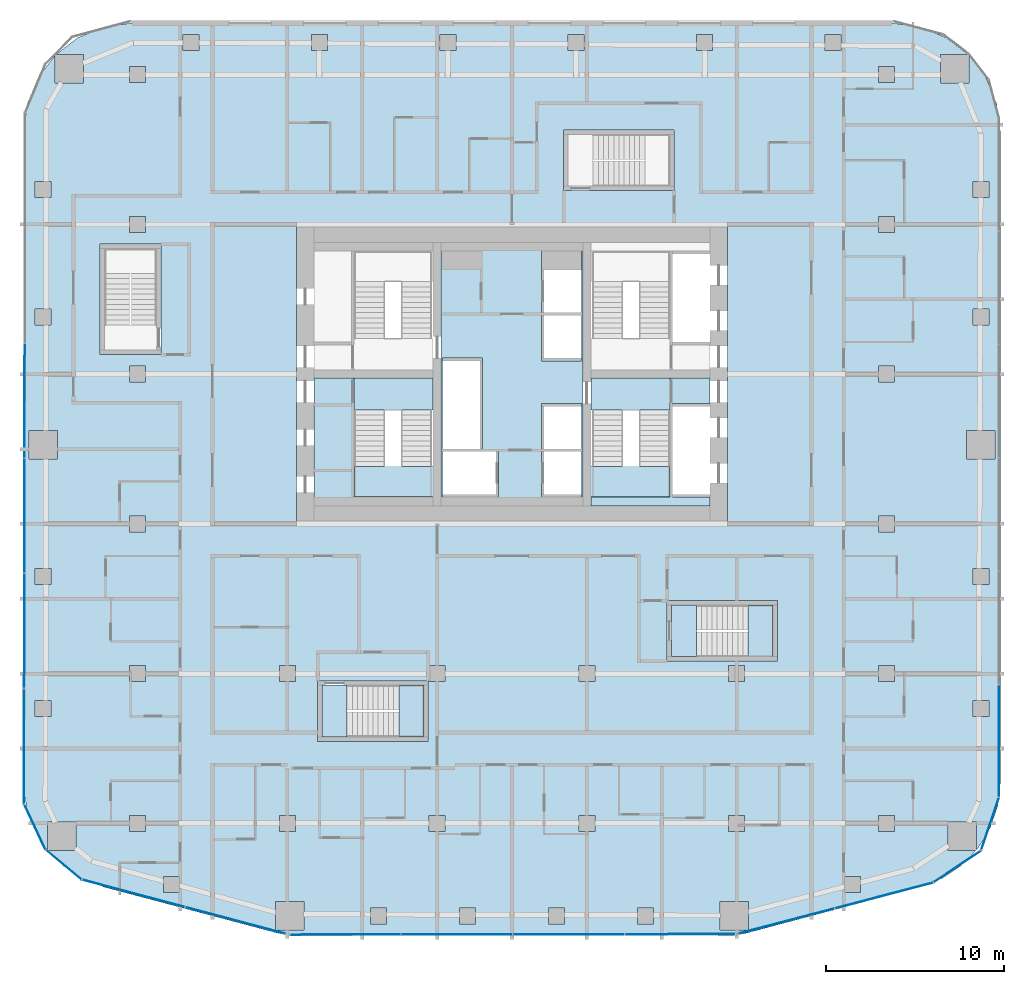
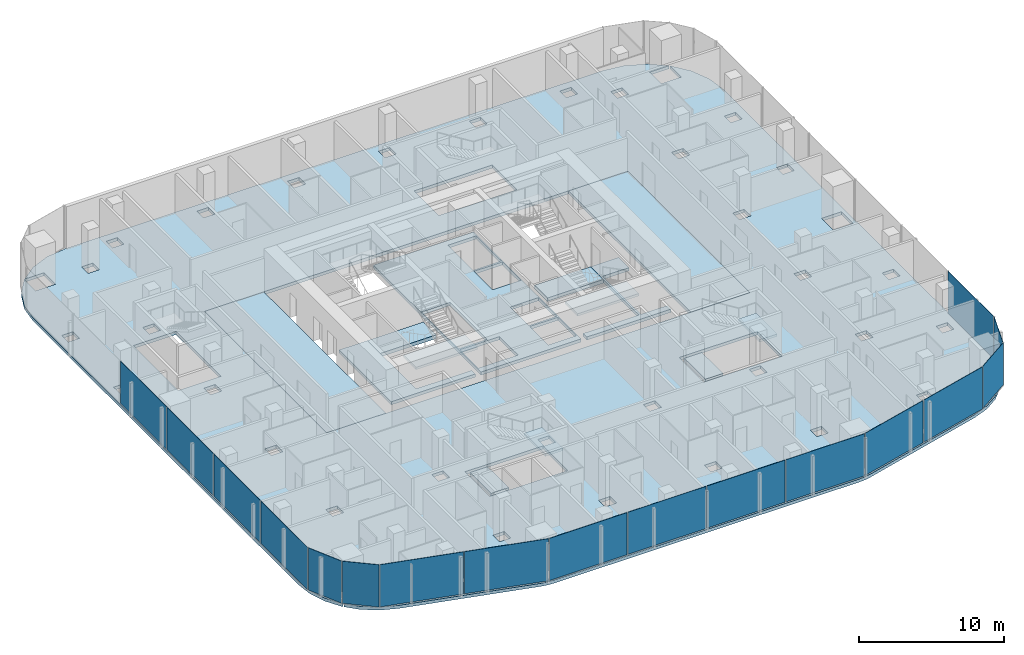
# One storey, part 12 of 23: 17 plates, 14 slabs, 13 elements without a shape of their own.
"""IFC4 building model written with IfcOpenShell, lengths in metres."""

import ifcopenshell
import ifcopenshell.guid

model = None  # the IFC model being written
_history = None  # IfcOwnerHistory: only IFC2X3 demands one
_inside = {}  # id of a spatial element -> (the spatial element, [elements in it])
_under = {}  # id of a project, library or spatial element -> (it, [spatial elements below it])
_declared = {}  # id of a project -> (the project, [libraries it declares])
_typed = {}  # id of a type object -> (the type object, [elements of that type])
_made_of = {}  # id of a material, layer set ... -> (it, [elements and type objects made of it])


def new_model(schema):
    """Start an empty IFC model of exactly this schema.

    Asked for "IFC4X3", IfcOpenShell would pick the latest addendum, in which some entities
    have other attributes; the version numbers below select the first issue.
    IFC2X3 requires an IfcOwnerHistory on every rooted entity: one is made here for all.
    """
    global model, _history
    if schema == "IFC4X3":
        model = ifcopenshell.file(schema_version=(4, 3, 0, 0))
    else:
        model = ifcopenshell.file(schema=schema)
    _inside.clear()
    _under.clear()
    _declared.clear()
    _typed.clear()
    _made_of.clear()
    _history = None
    if model.schema == "IFC2X3":
        org = make("IfcOrganization", Name="unknown")
        user = make(
            "IfcPersonAndOrganization",
            ThePerson=make("IfcPerson", FamilyName="unknown"),
            TheOrganization=org,
        )
        app = make(
            "IfcApplication",
            ApplicationDeveloper=org,
            Version="unknown",
            ApplicationFullName="unknown",
            ApplicationIdentifier="unknown",
        )
        _history = make(
            "IfcOwnerHistory",
            OwningUser=user,
            OwningApplication=app,
            ChangeAction="ADDED",
            CreationDate=0,
        )
    return model


def make(cls, **values):
    """One entity of the class cls with the attributes given. An attribute that is None is left unset."""
    return model.create_entity(
        cls, **{name: value for name, value in values.items() if value is not None}
    )


def rooted(cls, **values):
    """An entity with a GlobalId (a new one), such as an element, a storey or a relation."""
    return make(cls, GlobalId=ifcopenshell.guid.new(), OwnerHistory=_history, **values)


def si_unit(unit_type, name, prefix=None):
    """IfcSIUnit, for example si_unit("LENGTHUNIT", "METRE", prefix="MILLI")."""
    return make("IfcSIUnit", UnitType=unit_type, Prefix=prefix, Name=name)


def assignment(units):
    """IfcUnitAssignment: the units of a project."""
    return None if units is None else make("IfcUnitAssignment", Units=units)


def point(xyz):
    """IfcCartesianPoint."""
    return None if xyz is None else make("IfcCartesianPoint", Coordinates=xyz)


def direction(xyz):
    """IfcDirection."""
    return None if xyz is None else make("IfcDirection", DirectionRatios=xyz)


def frame(location, z_axis=None, x_axis=None):
    """IfcAxis2Placement3D, a coordinate frame: its origin and axes. An axis left out is left unset."""
    return make(
        "IfcAxis2Placement3D",
        Location=point(location),
        Axis=direction(z_axis),
        RefDirection=direction(x_axis),
    )


def frame_2d(location, x_axis=None):
    """IfcAxis2Placement2D, a coordinate frame in the plane: its origin and x axis."""
    return make(
        "IfcAxis2Placement2D", Location=point(location), RefDirection=direction(x_axis)
    )


def origin():
    """The frame at (0, 0, 0) with its axes left unset."""
    return frame((0.0, 0.0, 0.0))


def origin_2d():
    """The frame at (0, 0) in the plane with its x axis left unset."""
    return frame_2d((0.0, 0.0))


def place(relative_to, where):
    """IfcLocalPlacement: puts the frame where relative to a parent placement (None: the world)."""
    return make(
        "IfcLocalPlacement", PlacementRelTo=relative_to, RelativePlacement=where
    )


def context(
    kind, dimensions, precision=None, world=None, true_north=None, identifier=None
):
    """IfcGeometricRepresentationContext, for example the 3D "Model" context."""
    return make(
        "IfcGeometricRepresentationContext",
        ContextIdentifier=identifier,
        ContextType=kind,
        CoordinateSpaceDimension=dimensions,
        Precision=precision,
        WorldCoordinateSystem=world,
        TrueNorth=true_north,
    )


def subcontext(parent, identifier, kind, view, scale=None):
    """IfcGeometricRepresentationSubContext, for example "Body" below "Model"."""
    return make(
        "IfcGeometricRepresentationSubContext",
        ContextIdentifier=identifier,
        ContextType=kind,
        ParentContext=parent,
        TargetScale=scale,
        TargetView=view,
    )


def project(units=None, contexts=None):
    """IfcProject with its units and contexts."""
    return rooted(
        "IfcProject",
        Name="project",
        RepresentationContexts=contexts,
        UnitsInContext=assignment(units),
    )


def spatial(cls, under=None, at=None, **own):
    """A site, building, storey or space (cls), placed at a placement, below another one or the project."""
    s = rooted(cls, ObjectPlacement=at, **own)
    if under is not None:
        _under.setdefault(under.id(), (under, []))[1].append(s)
    return s


def polyline(points):
    """IfcPolyline through the points."""
    return make("IfcPolyline", Points=[point(p) for p in points])


def profile(cls, at=None, kind="AREA", **sizes):
    """A parametric profile (cls). Its sizes go by their IFC names, for example OverallWidth=200.0."""
    return make(cls, ProfileType=kind, Position=at, **sizes)


def rectangle(**sizes):
    """IfcRectangleProfileDef."""
    return profile("IfcRectangleProfileDef", **sizes)


def outline(outer, holes=None, kind="AREA"):
    """IfcArbitraryClosedProfileDef: a profile drawn as a closed curve; with holes, ...WithVoids."""
    if holes is None:
        return make("IfcArbitraryClosedProfileDef", ProfileType=kind, OuterCurve=outer)
    return make(
        "IfcArbitraryProfileDefWithVoids",
        ProfileType=kind,
        OuterCurve=outer,
        InnerCurves=holes,
    )


def extrude(swept, where, along, depth):
    """IfcExtrudedAreaSolid: the profile swept, set in the frame where, extruded along a direction by depth."""
    return make(
        "IfcExtrudedAreaSolid",
        SweptArea=swept,
        Position=where,
        ExtrudedDirection=direction(along),
        Depth=depth,
    )


def shape(context_of_items, identifier, shape_type, items):
    """IfcShapeRepresentation: the items that make up one representation, for example the "Body"."""
    return make(
        "IfcShapeRepresentation",
        ContextOfItems=context_of_items,
        RepresentationIdentifier=identifier,
        RepresentationType=shape_type,
        Items=items,
    )


def material(Name=None, Category=None):
    """IfcMaterial."""
    return make("IfcMaterial", Name=Name, Category=Category)


def layer(
    of_material, thickness, ventilated=None, Name=None, Category=None, Priority=None
):
    """IfcMaterialLayer: one layer of a wall or slab, of a material (None: an air gap)."""
    return make(
        "IfcMaterialLayer",
        Material=of_material,
        LayerThickness=thickness,
        IsVentilated=ventilated,
        Name=Name,
        Category=Category,
        Priority=Priority,
    )


def layer_set(layers, Name=None):
    """IfcMaterialLayerSet."""
    return make("IfcMaterialLayerSet", MaterialLayers=layers, LayerSetName=Name)


def made_of(thing, what):
    """Note that an element or type object is made of a material, layer set ...; save() writes the relation."""
    if what is not None:
        _made_of.setdefault(what.id(), (what, []))[1].append(thing)
    return thing


def type_object(cls, material=None, **own):
    """A type object (cls), such as IfcWallType, which elements share."""
    return made_of(rooted(cls, **own), material)


def element(
    cls,
    number,
    at=None,
    inside=None,
    cuts=None,
    type_object=None,
    material=None,
    context=None,
    identifier="Body",
    shape_type=None,
    held_by="IfcProductDefinitionShape",
    body=None,
    shapes=None,
    **own,
):
    """One element of the class cls, such as IfcWall. Its Tag is "e" and its number.

    at: its placement. inside: the storey or other place that contains it. cuts: it is an
    opening in that element (IfcRelVoidsElement). A single representation is given by context,
    identifier, shape_type and body (its items); several are given by shapes. held_by: the class
    of the entity that holds the representations. save() writes the other relations.
    """
    e = rooted(cls, Tag="e%d" % number, ObjectPlacement=at, **own)
    if body is not None:
        shapes = [shape(context, identifier, shape_type, body)]
    if shapes is not None:
        e.Representation = make(held_by, Representations=shapes)
    if inside is not None:
        _inside.setdefault(inside.id(), (inside, []))[1].append(e)
    if cuts is not None:
        rooted(
            "IfcRelVoidsElement", RelatingBuildingElement=cuts, RelatedOpeningElement=e
        )
    if type_object is not None:
        _typed.setdefault(type_object.id(), (type_object, []))[1].append(e)
    return made_of(e, material)


def aggregate(whole, parts):
    """IfcRelAggregates: a whole, such as a stair, and the parts it consists of."""
    return rooted("IfcRelAggregates", RelatingObject=whole, RelatedObjects=parts)


def save(model, path):
    """Write the relations noted so far, then the file.

    IfcRelAggregates (storeys below a building ...), IfcRelContainedInSpatialStructure (elements
    in a storey), IfcRelDefinesByType, IfcRelAssociatesMaterial and IfcRelDeclares: one each for
    every whole, place, type object, material and project.
    """
    for whole, parts in _under.values():
        aggregate(whole, parts)
    for where, things in _inside.values():
        rooted(
            "IfcRelContainedInSpatialStructure",
            RelatedElements=things,
            RelatingStructure=where,
        )
    for kind, things in _typed.values():
        rooted("IfcRelDefinesByType", RelatedObjects=things, RelatingType=kind)
    for what, things in _made_of.values():
        rooted("IfcRelAssociatesMaterial", RelatedObjects=things, RelatingMaterial=what)
    for by, libraries in _declared.values():
        rooted("IfcRelDeclares", RelatingContext=by, RelatedDefinitions=libraries)
    model.write(path)


model = new_model("IFC4")

# Units and contexts
model_context = context("Model", 3, precision=1e-05, world=origin(), true_north=direction((0.0, 1.0)))
body_context = subcontext(model_context, "Body", "Model", "MODEL_VIEW")
ifc_project = project(units=[si_unit("LENGTHUNIT", "METRE"), si_unit("AREAUNIT", "SQUARE_METRE"), si_unit("VOLUMEUNIT", "CUBIC_METRE"), si_unit("PLANEANGLEUNIT", "RADIAN"), si_unit("MASSUNIT", "GRAM", prefix="KILO")], contexts=[model_context])

# Site, building, storey
site_placement = place(None, origin())
site = spatial("IfcSite", under=ifc_project, at=site_placement, CompositionType="ELEMENT")
building_placement = place(site_placement, origin())
building = spatial("IfcBuilding", under=site, at=building_placement, Name="Marenta Gate Hotel Tower", CompositionType="ELEMENT")
storey_placement = place(building_placement, frame((0.0, 0.0, 112.10009765625)))
storey = spatial("IfcBuildingStorey", under=building, at=storey_placement, Name="L24", CompositionType="ELEMENT", Elevation=112.10009765625)

# Slabs
ifc_material_1 = material(Name="Concrete C35", Category="concrete")
ifc_layer_1 = layer(ifc_material_1, 0.260009765625)
ifc_layer_set_1 = layer_set([ifc_layer_1], Name="Concrete C35")
slab_type_1 = type_object("IfcSlabType", Name="Concrete floor slab 260", PredefinedType="FLOOR", material=ifc_layer_set_1)
slab_1_placement = place(storey_placement, frame((0.0, 0.0, -0.260009765625)))
element("IfcSlab", 1, at=slab_1_placement, inside=storey, type_object=slab_type_1, Name="L24-SL-1", PredefinedType="FLOOR", context=body_context, shape_type="SweptSolid", body=[
    extrude(outline(polyline([(-25.213623046875, -19.1640625), (-26.011474609375, -18.3330078125), (-24.462890625, -18.3330078125), (-24.462890625, -16.73291015625), (-26.06298828125, -16.73291015625), (-26.06298828125, -18.279296875), (-26.13525390625, -18.2041015625), (-26.826904296875, -17.06689453125), (-27.25537109375, -15.80712890625), (-27.39990234375, -14.48974609375), (-27.39990234375, 22.006591796875), (-27.193115234375, 23.5791015625), (-26.58349609375, 25.050537109375), (-25.635498046875, 26.285888671875), (-25.635498046875, 24.735595703125), (-24.035400390625, 24.735595703125), (-24.035400390625, 26.33544921875), (-25.585693359375, 26.33544921875), (-24.350341796875, 27.283447265625), (-22.87890625, 27.89306640625), (-21.306640625, 28.10009765625), (21.306640625, 28.10009765625), (22.87890625, 27.89306640625), (24.350341796875, 27.283447265625), (25.585693359375, 26.33544921875), (24.035400390625, 26.33544921875), (24.035400390625, 24.735595703125), (25.635498046875, 24.735595703125), (25.635498046875, 26.285888671875), (26.58349609375, 25.050537109375), (27.193115234375, 23.5791015625), (27.39990234375, 22.006591796875), (27.39990234375, -14.48974609375), (27.25537109375, -15.80712890625), (26.826904296875, -17.06689453125), (26.13525390625, -18.2041015625), (26.06298828125, -18.279296875), (26.06298828125, -16.73291015625), (24.462890625, -16.73291015625), (24.462890625, -18.3330078125), (26.011474609375, -18.3330078125), (25.213623046875, -19.1640625), (24.105712890625, -19.9013671875), (22.86962890625, -20.37890625), (13.126708984375, -22.963623046875), (12.608642578125, -23.065673828125), (12.08154296875, -23.10009765625), (-12.08154296875, -23.10009765625), (-12.608642578125, -23.065673828125), (-13.126708984375, -22.963623046875), (-22.86962890625, -20.37890625), (-24.105712890625, -19.9013671875), (-25.213623046875, -19.1640625)]), holes=[polyline([(-16.800048828125, 0.0), (16.800048828125, 0.0), (16.800048828125, 16.800048828125), (-16.800048828125, 16.800048828125), (-16.800048828125, 0.0)]), polyline([(-18.65673828125, -19.7890625), (-19.556884765625, -19.7890625), (-19.556884765625, -20.689208984375), (-18.65673828125, -20.689208984375), (-18.65673828125, -19.7890625)]), polyline([(-20.550048828125, -17.25), (-20.550048828125, -16.35009765625), (-21.449951171875, -16.35009765625), (-21.449951171875, -17.25), (-20.550048828125, -17.25)]), polyline([(-12.14990234375, -16.35009765625), (-13.050048828125, -16.35009765625), (-13.050048828125, -17.25), (-12.14990234375, -17.25), (-12.14990234375, -16.35009765625)]), polyline([(-25.85009765625, -10.802001953125), (-25.85009765625, -9.90185546875), (-26.75, -9.90185546875), (-26.75, -10.802001953125), (-25.85009765625, -10.802001953125)]), polyline([(-20.550048828125, -8.85009765625), (-20.550048828125, -7.949951171875), (-21.449951171875, -7.949951171875), (-21.449951171875, -8.85009765625), (-20.550048828125, -8.85009765625)]), polyline([(-25.85009765625, -2.5009765625), (-26.75, -2.5009765625), (-26.75, -3.40087890625), (-25.85009765625, -3.40087890625), (-25.85009765625, -2.5009765625)]), polyline([(-20.550048828125, -0.449951171875), (-20.550048828125, 0.449951171875), (-21.449951171875, 0.449951171875), (-21.449951171875, -0.449951171875), (-20.550048828125, -0.449951171875)]), polyline([(-25.5, 3.64990234375), (-25.5, 5.25), (-27.10009765625, 5.25), (-27.10009765625, 3.64990234375), (-25.5, 3.64990234375)]), polyline([(-20.550048828125, 8.85009765625), (-21.449951171875, 8.85009765625), (-21.449951171875, 7.949951171875), (-20.550048828125, 7.949951171875), (-20.550048828125, 8.85009765625)]), polyline([(-25.85009765625, 11.1533203125), (-25.85009765625, 12.05322265625), (-26.75, 12.05322265625), (-26.75, 11.1533203125), (-25.85009765625, 11.1533203125)]), polyline([(-20.550048828125, 16.35009765625), (-20.550048828125, 17.25), (-21.449951171875, 17.25), (-21.449951171875, 16.35009765625), (-20.550048828125, 16.35009765625)]), polyline([(-25.85009765625, 19.206298828125), (-26.75, 19.206298828125), (-26.75, 18.306396484375), (-25.85009765625, 18.306396484375), (-25.85009765625, 19.206298828125)]), polyline([(-20.550048828125, 24.75), (-20.550048828125, 25.64990234375), (-21.449951171875, 25.64990234375), (-21.449951171875, 24.75), (-20.550048828125, 24.75)]), polyline([(-17.556884765625, 27.449951171875), (-18.456787109375, 27.449951171875), (-18.456787109375, 26.550048828125), (-17.556884765625, 26.550048828125), (-17.556884765625, 27.449951171875)]), polyline([(-7.030029296875, -22.449951171875), (-7.030029296875, -21.550048828125), (-7.93017578125, -21.550048828125), (-7.93017578125, -22.449951171875), (-7.030029296875, -22.449951171875)]), polyline([(-2.04345703125, -22.449951171875), (-2.04345703125, -21.550048828125), (-2.943359375, -21.550048828125), (-2.943359375, -22.449951171875), (-2.04345703125, -22.449951171875)]), polyline([(2.943359375, -21.550048828125), (2.04345703125, -21.550048828125), (2.04345703125, -22.449951171875), (2.943359375, -22.449951171875), (2.943359375, -21.550048828125)]), polyline([(7.93017578125, -22.449951171875), (7.93017578125, -21.550048828125), (7.030029296875, -21.550048828125), (7.030029296875, -22.449951171875), (7.93017578125, -22.449951171875)]), polyline([(-11.666259765625, -22.77490234375), (-11.666259765625, -21.1748046875), (-13.266357421875, -21.1748046875), (-13.266357421875, -22.77490234375), (-11.666259765625, -22.77490234375)]), polyline([(13.266357421875, -21.1748046875), (11.666259765625, -21.1748046875), (11.666259765625, -22.77490234375), (13.266357421875, -22.77490234375), (13.266357421875, -21.1748046875)]), polyline([(-3.75, -17.25), (-3.75, -16.35009765625), (-4.64990234375, -16.35009765625), (-4.64990234375, -17.25), (-3.75, -17.25)]), polyline([(4.64990234375, -17.25), (4.64990234375, -16.35009765625), (3.75, -16.35009765625), (3.75, -17.25), (4.64990234375, -17.25)]), polyline([(13.050048828125, -16.35009765625), (12.14990234375, -16.35009765625), (12.14990234375, -17.25), (13.050048828125, -17.25), (13.050048828125, -16.35009765625)]), polyline([(-12.14990234375, -8.85009765625), (-12.14990234375, -7.949951171875), (-13.050048828125, -7.949951171875), (-13.050048828125, -8.85009765625), (-12.14990234375, -8.85009765625)]), polyline([(-3.75, -8.85009765625), (-3.75, -7.949951171875), (-4.64990234375, -7.949951171875), (-4.64990234375, -8.85009765625), (-3.75, -8.85009765625)]), polyline([(4.64990234375, -7.949951171875), (3.75, -7.949951171875), (3.75, -8.85009765625), (4.64990234375, -8.85009765625), (4.64990234375, -7.949951171875)]), polyline([(-10.35400390625, 26.550048828125), (-10.35400390625, 27.449951171875), (-11.254150390625, 27.449951171875), (-11.254150390625, 26.550048828125), (-10.35400390625, 26.550048828125)]), polyline([(-3.1513671875, 26.550048828125), (-3.1513671875, 27.449951171875), (-4.051513671875, 27.449951171875), (-4.051513671875, 26.550048828125), (-3.1513671875, 26.550048828125)]), polyline([(4.051513671875, 27.449951171875), (3.1513671875, 27.449951171875), (3.1513671875, 26.550048828125), (4.051513671875, 26.550048828125), (4.051513671875, 27.449951171875)]), polyline([(11.254150390625, 26.550048828125), (11.254150390625, 27.449951171875), (10.35400390625, 27.449951171875), (10.35400390625, 26.550048828125), (11.254150390625, 26.550048828125)]), polyline([(19.556884765625, -20.689208984375), (19.556884765625, -19.7890625), (18.65673828125, -19.7890625), (18.65673828125, -20.689208984375), (19.556884765625, -20.689208984375)]), polyline([(21.449951171875, -17.25), (21.449951171875, -16.35009765625), (20.550048828125, -16.35009765625), (20.550048828125, -17.25), (21.449951171875, -17.25)]), polyline([(26.75, -10.802001953125), (26.75, -9.90185546875), (25.85009765625, -9.90185546875), (25.85009765625, -10.802001953125), (26.75, -10.802001953125)]), polyline([(13.050048828125, -7.949951171875), (12.14990234375, -7.949951171875), (12.14990234375, -8.85009765625), (13.050048828125, -8.85009765625), (13.050048828125, -7.949951171875)]), polyline([(21.449951171875, -8.85009765625), (21.449951171875, -7.949951171875), (20.550048828125, -7.949951171875), (20.550048828125, -8.85009765625), (21.449951171875, -8.85009765625)]), polyline([(26.75, -3.40087890625), (26.75, -2.5009765625), (25.85009765625, -2.5009765625), (25.85009765625, -3.40087890625), (26.75, -3.40087890625)]), polyline([(21.449951171875, 0.449951171875), (20.550048828125, 0.449951171875), (20.550048828125, -0.449951171875), (21.449951171875, -0.449951171875), (21.449951171875, 0.449951171875)]), polyline([(27.10009765625, 3.64990234375), (27.10009765625, 5.25), (25.5, 5.25), (25.5, 3.64990234375), (27.10009765625, 3.64990234375)]), polyline([(21.449951171875, 7.949951171875), (21.449951171875, 8.85009765625), (20.550048828125, 8.85009765625), (20.550048828125, 7.949951171875), (21.449951171875, 7.949951171875)]), polyline([(26.75, 12.05322265625), (25.85009765625, 12.05322265625), (25.85009765625, 11.1533203125), (26.75, 11.1533203125), (26.75, 12.05322265625)]), polyline([(21.449951171875, 16.35009765625), (21.449951171875, 17.25), (20.550048828125, 17.25), (20.550048828125, 16.35009765625), (21.449951171875, 16.35009765625)]), polyline([(26.75, 18.306396484375), (26.75, 19.206298828125), (25.85009765625, 19.206298828125), (25.85009765625, 18.306396484375), (26.75, 18.306396484375)]), polyline([(21.449951171875, 25.64990234375), (20.550048828125, 25.64990234375), (20.550048828125, 24.75), (21.449951171875, 24.75), (21.449951171875, 25.64990234375)]), polyline([(18.456787109375, 26.550048828125), (18.456787109375, 27.449951171875), (17.556884765625, 27.449951171875), (17.556884765625, 26.550048828125), (18.456787109375, 26.550048828125)]), polyline([(-10.89990234375, -12.199951171875), (-4.699951171875, -12.199951171875), (-4.699951171875, -8.800048828125), (-10.89990234375, -8.800048828125), (-10.89990234375, -12.199951171875)]), polyline([(8.699951171875, -7.699951171875), (14.89990234375, -7.699951171875), (14.89990234375, -4.300048828125), (8.699951171875, -4.300048828125), (8.699951171875, -7.699951171875)]), polyline([(-23.10009765625, 9.5), (-19.699951171875, 9.5), (-19.699951171875, 15.699951171875), (-23.10009765625, 15.699951171875), (-23.10009765625, 9.5)]), polyline([(2.89990234375, 18.699951171875), (9.10009765625, 18.699951171875), (9.10009765625, 22.10009765625), (2.89990234375, 22.10009765625), (2.89990234375, 18.699951171875)])]), origin(), (0.0, 0.0, 1.0), 0.260009765625),
])
ifc_material_2 = material(Name="Concrete C40", Category="concrete")
ifc_layer_2 = layer(ifc_material_2, 0.260009765625)
ifc_layer_set_2 = layer_set([ifc_layer_2], Name="Concrete C40")
slab_type_2 = type_object("IfcSlabType", Name="Core floor slab 260", PredefinedType="FLOOR", material=ifc_layer_set_2)
slab_2_placement = place(storey_placement, frame((0.0, 0.0, -0.260009765625)))
element("IfcSlab", 2, at=slab_2_placement, inside=storey, type_object=slab_type_2, Name="L24-CF-1", PredefinedType="FLOOR", context=body_context, shape_type="SweptSolid", body=[
    extrude(outline(polyline([(12.10009765625, 0.0), (12.10009765625, 16.800048828125), (16.800048828125, 16.800048828125), (16.800048828125, 0.0), (12.10009765625, 0.0)])), origin(), (0.0, 0.0, 1.0), 0.260009765625),
])
slab_3_placement = place(storey_placement, frame((0.0, 0.0, -0.260009765625)))
element("IfcSlab", 3, at=slab_3_placement, inside=storey, type_object=slab_type_2, Name="L24-CF-2", PredefinedType="FLOOR", context=body_context, shape_type="SweptSolid", body=[
    extrude(outline(polyline([(8.85009765625, 1.5), (8.85009765625, 6.39990234375), (8.85009765625, 8.10009765625), (8.85009765625, 8.175048828125), (11.10009765625, 8.175048828125), (11.10009765625, 6.75), (9.0, 6.75), (9.0, 6.60009765625), (9.0, 4.199951171875), (9.0, 4.050048828125), (9.0, 1.64990234375), (9.0, 1.5), (11.10009765625, 1.5), (11.10009765625, 1.0), (4.425048828125, 1.0), (4.425048828125, 1.5), (8.85009765625, 1.5)])), origin(), (0.0, 0.0, 1.0), 0.260009765625),
])
slab_4_placement = place(storey_placement, frame((0.0, 0.0, -0.260009765625)))
element("IfcSlab", 4, at=slab_4_placement, inside=storey, type_object=slab_type_2, Name="L24-CF-4", PredefinedType="FLOOR", context=body_context, shape_type="SweptSolid", body=[
    extrude(outline(polyline([(3.97509765625, 15.300048828125), (3.97509765625, 10.39990234375), (3.97509765625, 6.39990234375), (3.97509765625, 1.5), (3.97509765625, 1.0), (-3.97509765625, 1.0), (-3.97509765625, 1.5), (-3.97509765625, 6.39990234375), (-3.97509765625, 10.39990234375), (-3.97509765625, 15.300048828125), (-3.97509765625, 15.800048828125), (3.97509765625, 15.800048828125), (3.97509765625, 15.300048828125)]), holes=[polyline([(1.64990234375, 1.5), (3.89990234375, 1.5), (3.89990234375, 1.64990234375), (3.89990234375, 4.050048828125), (1.800048828125, 4.050048828125), (1.64990234375, 4.050048828125), (1.64990234375, 1.64990234375), (1.64990234375, 1.5)]), polyline([(1.64990234375, 6.60009765625), (1.64990234375, 4.199951171875), (1.800048828125, 4.199951171875), (3.89990234375, 4.199951171875), (3.89990234375, 6.60009765625), (3.89990234375, 6.75), (1.64990234375, 6.75), (1.64990234375, 6.60009765625)]), polyline([(1.64990234375, 9.14990234375), (3.89990234375, 9.14990234375), (3.89990234375, 9.300048828125), (3.89990234375, 11.699951171875), (1.800048828125, 11.699951171875), (1.64990234375, 11.699951171875), (1.64990234375, 9.300048828125), (1.64990234375, 9.14990234375)]), polyline([(1.64990234375, 15.300048828125), (1.64990234375, 14.25), (1.64990234375, 11.85009765625), (1.800048828125, 11.85009765625), (3.89990234375, 11.85009765625), (3.89990234375, 14.25), (3.89990234375, 15.300048828125), (1.64990234375, 15.300048828125)]), polyline([(-3.89990234375, 4.050048828125), (-3.89990234375, 1.64990234375), (-3.89990234375, 1.5), (-0.89990234375, 1.5), (-0.75, 1.5), (-0.75, 4.050048828125), (-0.89990234375, 4.050048828125), (-3.89990234375, 4.050048828125)]), polyline([(-1.800048828125, 4.199951171875), (-1.64990234375, 4.199951171875), (-1.64990234375, 9.14990234375), (-1.64990234375, 9.300048828125), (-3.89990234375, 9.300048828125), (-3.89990234375, 9.14990234375), (-3.89990234375, 6.75), (-3.89990234375, 6.60009765625), (-3.89990234375, 4.199951171875), (-1.800048828125, 4.199951171875)])]), origin(), (0.0, 0.0, 1.0), 0.260009765625),
])
slab_5_placement = place(storey_placement, frame((0.0, 0.0, -0.260009765625)))
element("IfcSlab", 5, at=slab_5_placement, inside=storey, type_object=slab_type_2, Name="L24-CF-5", PredefinedType="FLOOR", context=body_context, shape_type="SweptSolid", body=[
    extrude(outline(polyline([(-8.85009765625, 8.175048828125), (-8.85009765625, 8.10009765625), (-8.85009765625, 6.39990234375), (-8.85009765625, 1.5), (-4.425048828125, 1.5), (-4.425048828125, 1.0), (-11.10009765625, 1.0), (-11.10009765625, 8.175048828125), (-8.85009765625, 8.175048828125)])), origin(), (0.0, 0.0, 1.0), 0.260009765625),
])
slab_6_placement = place(storey_placement, frame((0.0, 0.0, -0.260009765625)))
element("IfcSlab", 6, at=slab_6_placement, inside=storey, type_object=slab_type_2, Name="L24-CF-7", PredefinedType="FLOOR", context=body_context, shape_type="SweptSolid", body=[
    extrude(outline(polyline([(-12.10009765625, 16.800048828125), (-12.10009765625, 0.0), (-16.800048828125, 0.0), (-16.800048828125, 16.800048828125), (-12.10009765625, 16.800048828125)])), origin(), (0.0, 0.0, 1.0), 0.260009765625),
])

# Stair, slab
ifc_material_3 = material(Name="Concrete C40", Category="concrete")
stair_type_1 = type_object("IfcStairType", Name="Core exit stair 1700 wide", PredefinedType="HALF_TURN_STAIR", material=ifc_material_3)
stair_1_placement = place(storey_placement, origin())
stair_1 = element("IfcStair", 7, at=stair_1_placement, inside=storey, type_object=stair_type_1, Name="Exit stair 1", PredefinedType="HALF_TURN_STAIR")
ifc_material_4 = material(Name="Concrete C40", Category="concrete")
ifc_layer_3 = layer(ifc_material_4, 0.199951171875)
ifc_layer_set_3 = layer_set([ifc_layer_3], Name="Concrete C40")
slab_type_3 = type_object("IfcSlabType", Name="Core stair landing 200", PredefinedType="LANDING", material=ifc_layer_set_3)
slab_7_placement = place(storey_placement, frame((0.0, 0.0, 1.599853515625)))
slab_7 = element("IfcSlab", 8, at=slab_7_placement, type_object=slab_type_3, Name="SL-200 ST1 landing 1", PredefinedType="LANDING", context=body_context, shape_type="SweptSolid", body=[
    extrude(outline(polyline([(-8.85009765625, 1.5), (-3.97509765625, 1.5), (-3.97509765625, 3.2099609375), (-8.85009765625, 3.2099609375), (-8.85009765625, 1.5)])), origin(), (0.0, 0.0, 1.0), 0.199951171875),
])
aggregate(stair_1, [slab_7])

stair_2_placement = place(storey_placement, origin())
stair_2 = element("IfcStair", 9, at=stair_2_placement, inside=storey, type_object=stair_type_1, Name="Exit stair 3", PredefinedType="HALF_TURN_STAIR")
slab_8_placement = place(storey_placement, frame((0.0, 0.0, 1.599853515625)))
slab_8 = element("IfcSlab", 10, at=slab_8_placement, type_object=slab_type_3, Name="SL-200 ST3 landing 1", PredefinedType="LANDING", context=body_context, shape_type="SweptSolid", body=[
    extrude(outline(polyline([(3.97509765625, 1.5), (8.85009765625, 1.5), (8.85009765625, 3.2099609375), (3.97509765625, 3.2099609375), (3.97509765625, 1.5)])), origin(), (0.0, 0.0, 1.0), 0.199951171875),
])
aggregate(stair_2, [slab_8])

# Curtain wall, plates
ifc_material_5 = material(Name="Tinted insulated glass in bronze anodised frame", Category="glass")
ifc_layer_4 = layer(ifc_material_5, 0.1201171875)
ifc_layer_set_4 = layer_set([ifc_layer_4], Name="Tinted insulated glass in bronze anodised frame")
curtain_wall_type = type_object("IfcCurtainWallType", Name="Tower unitised curtain wall CW1", PredefinedType="NOTDEFINED", material=ifc_layer_set_4)
curtain_wall_1_placement = place(storey_placement, origin())
curtain_wall_1 = element("IfcCurtainWall", 11, at=curtain_wall_1_placement, inside=storey, type_object=curtain_wall_type, Name="CW1 run G03", PredefinedType="NOTDEFINED")
ifc_material_6 = material(Name="Tinted insulated glass", Category="glass")
ifc_layer_5 = layer(ifc_material_6, 0.028076171875)
ifc_layer_set_5 = layer_set([ifc_layer_5], Name="Tinted insulated glass")
plate_type = type_object("IfcPlateType", Name="Glass panel CW1 28 mm tinted insulated unit", PredefinedType="CURTAIN_PANEL", material=ifc_layer_set_5)
plate_1_placement = place(storey_placement, frame((-27.337646484375, 6.916259765625, 0.059814453125), z_axis=(0.0, 0.0, 1.0), x_axis=(-0.001566045546, -0.99999877375, 0.0)))
plate_1 = element("IfcPlate", 12, at=plate_1_placement, type_object=plate_type, Name="CW1 panel 3.1", PredefinedType="CURTAIN_PANEL", context=body_context, shape_type="SweptSolid", body=[
    extrude(rectangle(XDim=6.39990234375, YDim=0.028076171875, at=origin_2d()), origin(), (0.0, 0.0, 1.0), 3.5400390625),
])
plate_2_placement = place(storey_placement, frame((-27.34765625, 0.456298828125, 0.059814453125), z_axis=(0.0, 0.0, 1.0), x_axis=(-0.001566045546, -0.99999877375, 0.0)))
plate_2 = element("IfcPlate", 13, at=plate_2_placement, type_object=plate_type, Name="CW1 panel 4.1", PredefinedType="CURTAIN_PANEL", context=body_context, shape_type="SweptSolid", body=[
    extrude(rectangle(XDim=6.39990234375, YDim=0.028076171875, at=origin_2d()), origin(), (0.0, 0.0, 1.0), 3.5400390625),
])
plate_3_placement = place(storey_placement, frame((-27.35791015625, -6.00390625, 0.059814453125), z_axis=(0.0, 0.0, 1.0), x_axis=(-0.001566045546, -0.99999877375, 0.0)))
plate_3 = element("IfcPlate", 14, at=plate_3_placement, type_object=plate_type, Name="CW1 panel 5.1", PredefinedType="CURTAIN_PANEL", context=body_context, shape_type="SweptSolid", body=[
    extrude(rectangle(XDim=6.39990234375, YDim=0.028076171875, at=origin_2d()), origin(), (0.0, 0.0, 1.0), 3.5400390625),
])
plate_4_placement = place(storey_placement, frame((-27.367919921875, -12.478759765625, 0.059814453125), z_axis=(0.0, 0.0, 1.0), x_axis=(-0.001566045546, -0.99999877375, 0.0)))
plate_4 = element("IfcPlate", 15, at=plate_4_placement, type_object=plate_type, Name="CW1 panel 6.1", PredefinedType="CURTAIN_PANEL", context=body_context, shape_type="SweptSolid", body=[
    extrude(rectangle(XDim=6.429931640625, YDim=0.028076171875, at=origin_2d()), origin(), (0.0, 0.0, 1.0), 3.5400390625),
])
aggregate(curtain_wall_1, [plate_1, plate_2, plate_3, plate_4])

# Curtain wall, plate
curtain_wall_2_placement = place(storey_placement, origin())
curtain_wall_2 = element("IfcCurtainWall", 16, at=curtain_wall_2_placement, inside=storey, type_object=curtain_wall_type, Name="CW1 run G04", PredefinedType="NOTDEFINED")
plate_5_placement = place(storey_placement, frame((-26.76123046875, -17.0029296875, 0.059814453125), z_axis=(0.0, 0.0, 1.0), x_axis=(0.423338088163, -0.905971778319, 0.0)))
plate_5 = element("IfcPlate", 17, at=plate_5_placement, type_object=plate_type, Name="CW1 panel 1.1", PredefinedType="CURTAIN_PANEL", context=body_context, shape_type="SweptSolid", body=[
    extrude(rectangle(XDim=2.77001953125, YDim=0.028076171875, at=origin_2d()), origin(), (0.0, 0.0, 1.0), 3.5400390625),
])
aggregate(curtain_wall_2, [plate_5])

curtain_wall_3_placement = place(storey_placement, origin())
curtain_wall_3 = element("IfcCurtainWall", 18, at=curtain_wall_3_placement, inside=storey, type_object=curtain_wall_type, Name="CW1 run G05", PredefinedType="NOTDEFINED")
plate_6_placement = place(storey_placement, frame((-25.14111328125, -19.1220703125, 0.059814453125), z_axis=(0.0, 0.0, 1.0), x_axis=(0.767112858807, -0.641512168126, 0.0)))
plate_6 = element("IfcPlate", 19, at=plate_6_placement, type_object=plate_type, Name="CW1 panel 1.1", PredefinedType="CURTAIN_PANEL", context=body_context, shape_type="SweptSolid", body=[
    extrude(rectangle(XDim=2.5751953125, YDim=0.028076171875, at=origin_2d()), origin(), (0.0, 0.0, 1.0), 3.5400390625),
])
aggregate(curtain_wall_3, [plate_6])

# Curtain wall, plates
curtain_wall_4_placement = place(storey_placement, origin())
curtain_wall_4 = element("IfcCurtainWall", 20, at=curtain_wall_4_placement, inside=storey, type_object=curtain_wall_type, Name="CW1 run G06", PredefinedType="NOTDEFINED")
plate_7_placement = place(storey_placement, frame((-21.22705078125, -20.726806640625, 0.059814453125), z_axis=(0.0, 0.0, 1.0), x_axis=(0.966373195468, -0.257143631229, 0.0)))
plate_7 = element("IfcPlate", 21, at=plate_7_placement, type_object=plate_type, Name="CW1 panel 1.1", PredefinedType="CURTAIN_PANEL", context=body_context, shape_type="SweptSolid", body=[
    extrude(rectangle(XDim=5.936279296875, YDim=0.028076171875, at=origin_2d()), origin(), (0.0, 0.0, 1.0), 3.5400390625),
])
plate_8_placement = place(storey_placement, frame((-15.4033203125, -22.276611328125, 0.059814453125), z_axis=(0.0, 0.0, 1.0), x_axis=(0.966373195468, -0.257143631229, 0.0)))
plate_8 = element("IfcPlate", 22, at=plate_8_placement, type_object=plate_type, Name="CW1 panel 2.1", PredefinedType="CURTAIN_PANEL", context=body_context, shape_type="SweptSolid", body=[
    extrude(rectangle(XDim=5.996337890625, YDim=0.028076171875, at=origin_2d()), origin(), (0.0, 0.0, 1.0), 3.5400390625),
])
aggregate(curtain_wall_4, [plate_7, plate_8])

curtain_wall_5_placement = place(storey_placement, origin())
curtain_wall_5 = element("IfcCurtainWall", 23, at=curtain_wall_5_placement, inside=storey, type_object=curtain_wall_type, Name="CW1 run G07", PredefinedType="NOTDEFINED")
plate_9_placement = place(storey_placement, frame((-9.35302734375, -23.043212890625, 0.059814453125), z_axis=(0.0, 0.0, 1.0), x_axis=(0.999999072004, 0.001362347707, 0.0)))
plate_9 = element("IfcPlate", 24, at=plate_9_placement, type_object=plate_type, Name="CW1 panel 1.1", PredefinedType="CURTAIN_PANEL", context=body_context, shape_type="SweptSolid", body=[
    extrude(rectangle(XDim=6.18603515625, YDim=0.028076171875, at=origin_2d()), origin(), (0.0, 0.0, 1.0), 3.5400390625),
])
plate_10_placement = place(storey_placement, frame((-3.092041015625, -23.03466796875, 0.059814453125), z_axis=(0.0, 0.0, 1.0), x_axis=(0.999999072004, 0.001362347707, 0.0)))
plate_10 = element("IfcPlate", 25, at=plate_10_placement, type_object=plate_type, Name="CW1 panel 2.1", PredefinedType="CURTAIN_PANEL", context=body_context, shape_type="SweptSolid", body=[
    extrude(rectangle(XDim=6.2158203125, YDim=0.028076171875, at=origin_2d()), origin(), (0.0, 0.0, 1.0), 3.5400390625),
])
plate_11_placement = place(storey_placement, frame((3.183837890625, -23.026123046875, 0.059814453125), z_axis=(0.0, 0.0, 1.0), x_axis=(0.999999072004, 0.001362347707, 0.0)))
plate_11 = element("IfcPlate", 26, at=plate_11_placement, type_object=plate_type, Name="CW1 panel 3.1", PredefinedType="CURTAIN_PANEL", context=body_context, shape_type="SweptSolid", body=[
    extrude(rectangle(XDim=6.2158203125, YDim=0.028076171875, at=origin_2d()), origin(), (0.0, 0.0, 1.0), 3.5400390625),
])
plate_12_placement = place(storey_placement, frame((9.474853515625, -23.017578125, 0.059814453125), z_axis=(0.0, 0.0, 1.0), x_axis=(0.999999072004, 0.001362347707, 0.0)))
plate_12 = element("IfcPlate", 27, at=plate_12_placement, type_object=plate_type, Name="CW1 panel 4.1", PredefinedType="CURTAIN_PANEL", context=body_context, shape_type="SweptSolid", body=[
    extrude(rectangle(XDim=6.245849609375, YDim=0.028076171875, at=origin_2d()), origin(), (0.0, 0.0, 1.0), 3.5400390625),
])
aggregate(curtain_wall_5, [plate_9, plate_10, plate_11, plate_12])

curtain_wall_6_placement = place(storey_placement, origin())
curtain_wall_6 = element("IfcCurtainWall", 28, at=curtain_wall_6_placement, inside=storey, type_object=curtain_wall_type, Name="CW1 run G08", PredefinedType="NOTDEFINED")
plate_13_placement = place(storey_placement, frame((15.36474609375, -22.28857421875, 0.059814453125), z_axis=(0.0, 0.0, 1.0), x_axis=(0.967368326473, 0.253374270473, 0.0)))
plate_13 = element("IfcPlate", 29, at=plate_13_placement, type_object=plate_type, Name="CW1 panel 1.1", PredefinedType="CURTAIN_PANEL", context=body_context, shape_type="SweptSolid", body=[
    extrude(rectangle(XDim=5.6005859375, YDim=0.028076171875, at=origin_2d()), origin(), (0.0, 0.0, 1.0), 3.5400390625),
])
plate_14_placement = place(storey_placement, frame((20.86962890625, -20.8466796875, 0.059814453125), z_axis=(0.0, 0.0, 1.0), x_axis=(0.967368326473, 0.253374270473, 0.0)))
plate_14 = element("IfcPlate", 30, at=plate_14_placement, type_object=plate_type, Name="CW1 panel 2.1", PredefinedType="CURTAIN_PANEL", context=body_context, shape_type="SweptSolid", body=[
    extrude(rectangle(XDim=5.66064453125, YDim=0.028076171875, at=origin_2d()), origin(), (0.0, 0.0, 1.0), 3.5400390625),
])
aggregate(curtain_wall_6, [plate_13, plate_14])

# Curtain wall, plate
curtain_wall_7_placement = place(storey_placement, origin())
curtain_wall_7 = element("IfcCurtainWall", 31, at=curtain_wall_7_placement, inside=storey, type_object=curtain_wall_type, Name="CW1 run G09", PredefinedType="NOTDEFINED")
plate_15_placement = place(storey_placement, frame((24.981201171875, -19.215576171875, 0.059814453125), z_axis=(0.0, 0.0, 1.0), x_axis=(0.832505857051, 0.554016243423, 0.0)))
plate_15 = element("IfcPlate", 32, at=plate_15_placement, type_object=plate_type, Name="CW1 panel 1.1", PredefinedType="CURTAIN_PANEL", context=body_context, shape_type="SweptSolid", body=[
    extrude(rectangle(XDim=3.179931640625, YDim=0.028076171875, at=origin_2d()), origin(), (0.0, 0.0, 1.0), 3.5400390625),
])
aggregate(curtain_wall_7, [plate_15])

curtain_wall_8_placement = place(storey_placement, origin())
curtain_wall_8 = element("IfcCurtainWall", 33, at=curtain_wall_8_placement, inside=storey, type_object=curtain_wall_type, Name="CW1 run G10", PredefinedType="NOTDEFINED")
plate_16_placement = place(storey_placement, frame((26.819091796875, -16.822998046875, 0.059814453125), z_axis=(0.0, 0.0, 1.0), x_axis=(0.322033173773, 0.946728385013, 0.0)))
plate_16 = element("IfcPlate", 34, at=plate_16_placement, type_object=plate_type, Name="CW1 panel 1.1", PredefinedType="CURTAIN_PANEL", context=body_context, shape_type="SweptSolid", body=[
    extrude(rectangle(XDim=3.073486328125, YDim=0.028076171875, at=origin_2d()), origin(), (0.0, 0.0, 1.0), 3.5400390625),
])
aggregate(curtain_wall_8, [plate_16])

curtain_wall_9_placement = place(storey_placement, origin())
curtain_wall_9 = element("IfcCurtainWall", 35, at=curtain_wall_9_placement, inside=storey, type_object=curtain_wall_type, Name="CW1 run G11", PredefinedType="NOTDEFINED")
plate_17_placement = place(storey_placement, frame((27.31396484375, -12.173095703125, 0.059814453125), z_axis=(0.0, 0.0, 1.0), x_axis=(0.0, 1.0, 0.0)))
plate_17 = element("IfcPlate", 36, at=plate_17_placement, type_object=plate_type, Name="CW1 panel 1.1", PredefinedType="CURTAIN_PANEL", context=body_context, shape_type="SweptSolid", body=[
    extrude(rectangle(XDim=6.27001953125, YDim=0.028076171875, at=origin_2d()), origin(), (0.0, 0.0, 1.0), 3.5400390625),
])
aggregate(curtain_wall_9, [plate_17])

# Stair, slab
ifc_material_7 = material(Name="Concrete C40", Category="concrete")
stair_type_2 = type_object("IfcStairType", Name="Remote exit stair 1400 wide", PredefinedType="HALF_TURN_STAIR", material=ifc_material_7)
stair_3_placement = place(storey_placement, origin())
stair_3 = element("IfcStair", 37, at=stair_3_placement, inside=storey, type_object=stair_type_2, Name="Exit stair RS-Z2-1", PredefinedType="HALF_TURN_STAIR")
ifc_material_8 = material(Name="Concrete C40", Category="concrete")
ifc_layer_6 = layer(ifc_material_8, 0.199951171875)
ifc_layer_set_6 = layer_set([ifc_layer_6], Name="Concrete C40")
slab_type_4 = type_object("IfcSlabType", Name="Remote stair landing 200", PredefinedType="LANDING", material=ifc_layer_set_6)
slab_9_placement = place(storey_placement, frame((0.0, 0.0, 1.599853515625)))
slab_9 = element("IfcSlab", 38, at=slab_9_placement, type_object=slab_type_4, Name="RL-200 RS-Z2-1 landing 1", PredefinedType="LANDING", context=body_context, shape_type="SweptSolid", body=[
    extrude(outline(polyline([(-6.35009765625, -11.949951171875), (-4.949951171875, -11.949951171875), (-4.949951171875, -9.050048828125), (-6.35009765625, -9.050048828125), (-6.35009765625, -11.949951171875)])), origin(), (0.0, 0.0, 1.0), 0.199951171875),
])
aggregate(stair_3, [slab_9])

stair_4_placement = place(storey_placement, origin())
stair_4 = element("IfcStair", 39, at=stair_4_placement, inside=storey, type_object=stair_type_2, Name="Exit stair RS-Z2-2", PredefinedType="HALF_TURN_STAIR")
slab_10_placement = place(storey_placement, frame((0.0, 0.0, 1.599853515625)))
slab_10 = element("IfcSlab", 40, at=slab_10_placement, type_object=slab_type_4, Name="RL-200 RS-Z2-2 landing 1", PredefinedType="LANDING", context=body_context, shape_type="SweptSolid", body=[
    extrude(outline(polyline([(13.25, -7.449951171875), (14.64990234375, -7.449951171875), (14.64990234375, -4.550048828125), (13.25, -4.550048828125), (13.25, -7.449951171875)])), origin(), (0.0, 0.0, 1.0), 0.199951171875),
])
aggregate(stair_4, [slab_10])

# Slabs
ifc_material_9 = material(Name="Concrete C40", Category="concrete")
ifc_layer_7 = layer(ifc_material_9, 0.300048828125)
ifc_layer_set_7 = layer_set([ifc_layer_7], Name="Concrete C40")
slab_type_5 = type_object("IfcSlabType", Name="Stair floor landing slab 300", PredefinedType="FLOOR", material=ifc_layer_set_7)
slab_11_placement = place(storey_placement, frame((0.0, 0.0, -0.300048828125)))
element("IfcSlab", 41, at=slab_11_placement, inside=storey, type_object=slab_type_5, Name="L24-CL-ST1-1", PredefinedType="FLOOR", context=body_context, shape_type="SweptSolid", body=[
    extrude(outline(polyline([(-4.425048828125, 6.39990234375), (-8.85009765625, 6.39990234375), (-8.85009765625, 8.10009765625), (-8.85009765625, 8.175048828125), (-4.425048828125, 8.175048828125), (-4.425048828125, 6.39990234375)])), origin(), (0.0, 0.0, 1.0), 0.300048828125),
])
slab_12_placement = place(storey_placement, frame((0.0, 0.0, -0.300048828125)))
element("IfcSlab", 42, at=slab_12_placement, inside=storey, type_object=slab_type_5, Name="L24-CL-ST3-1", PredefinedType="FLOOR", context=body_context, shape_type="SweptSolid", body=[
    extrude(outline(polyline([(4.425048828125, 6.39990234375), (4.425048828125, 8.175048828125), (8.85009765625, 8.175048828125), (8.85009765625, 8.10009765625), (8.85009765625, 6.39990234375), (4.425048828125, 6.39990234375)])), origin(), (0.0, 0.0, 1.0), 0.300048828125),
])
slab_13_placement = place(storey_placement, frame((0.0, 0.0, -0.300048828125)))
element("IfcSlab", 43, at=slab_13_placement, inside=storey, type_object=slab_type_5, Name="L24-RS-Z2-1-CL", PredefinedType="FLOOR", context=body_context, shape_type="SweptSolid", body=[
    extrude(outline(polyline([(-9.25, -11.949951171875), (-9.25, -9.050048828125), (-10.64990234375, -9.050048828125), (-10.64990234375, -11.949951171875), (-9.25, -11.949951171875)])), origin(), (0.0, 0.0, 1.0), 0.300048828125),
])
slab_14_placement = place(storey_placement, frame((0.0, 0.0, -0.300048828125)))
element("IfcSlab", 44, at=slab_14_placement, inside=storey, type_object=slab_type_5, Name="L24-RS-Z2-2-CL", PredefinedType="FLOOR", context=body_context, shape_type="SweptSolid", body=[
    extrude(outline(polyline([(10.35009765625, -7.449951171875), (10.35009765625, -4.550048828125), (8.949951171875, -4.550048828125), (8.949951171875, -7.449951171875), (10.35009765625, -7.449951171875)])), origin(), (0.0, 0.0, 1.0), 0.300048828125),
])

save(model, "model.ifc")
